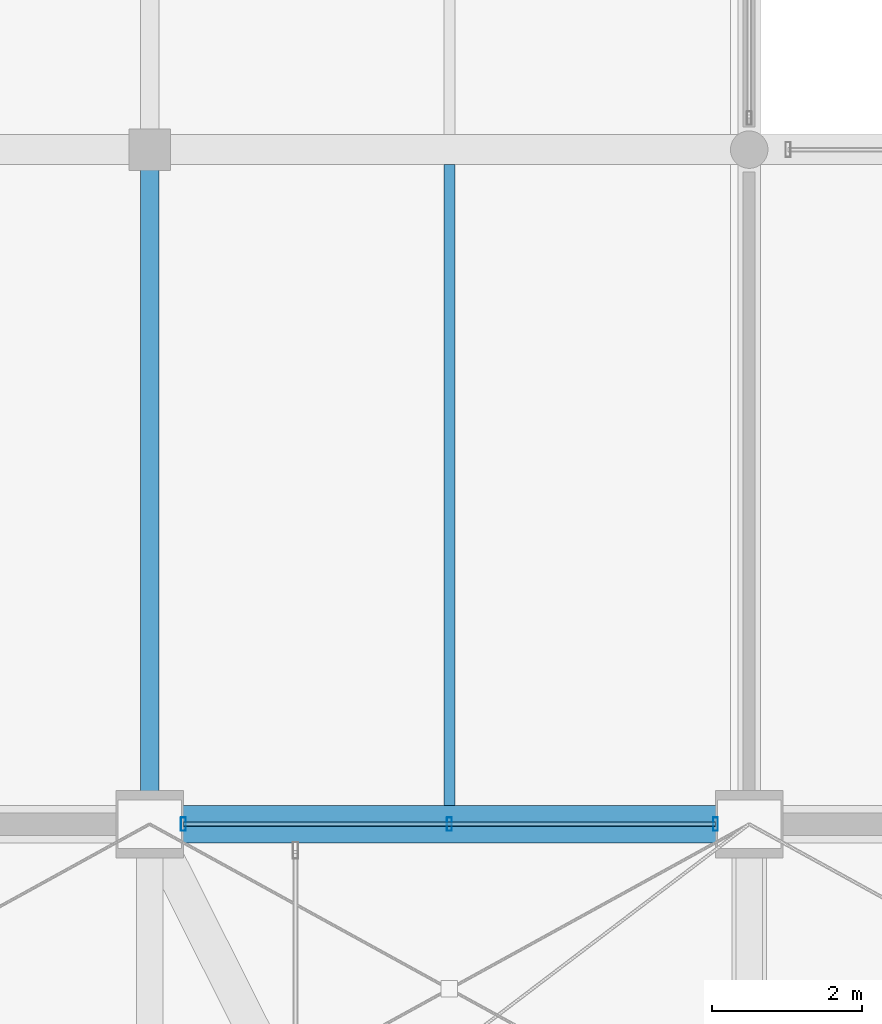
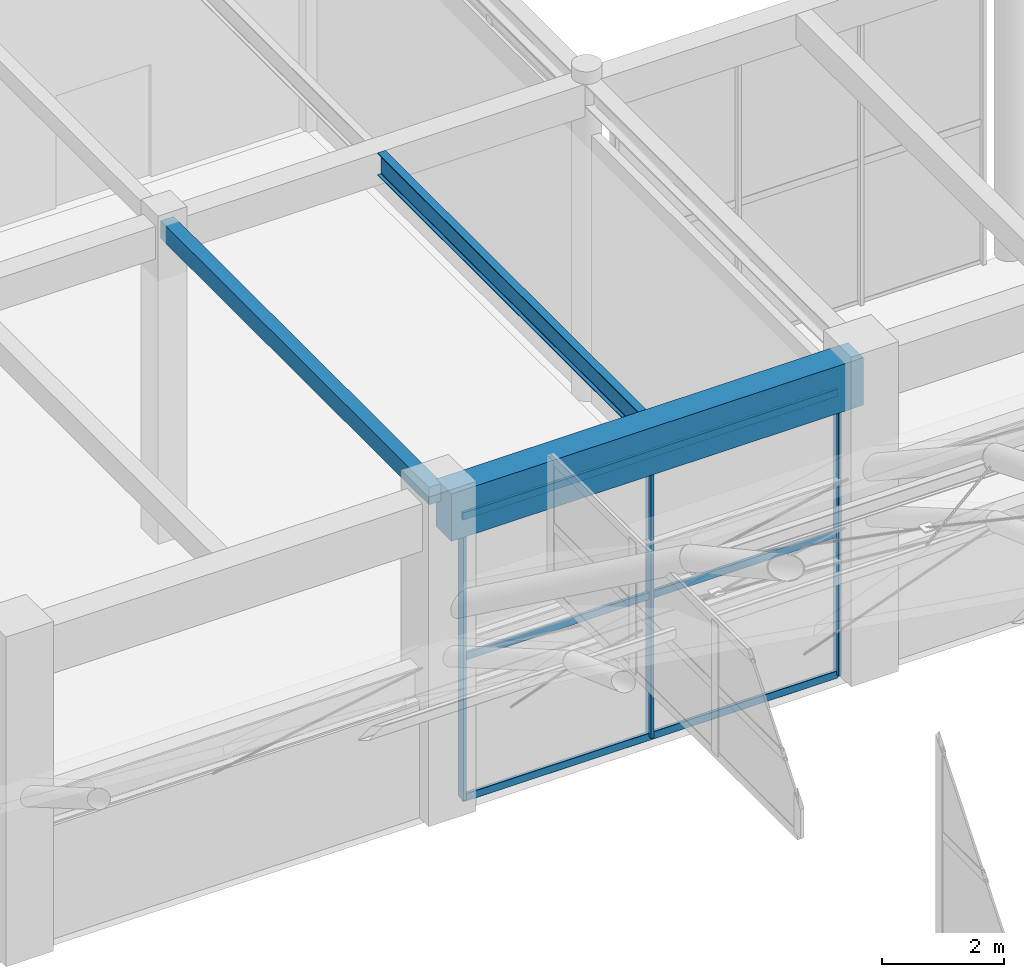
# One storey, part 62 of 163: 6 members, 3 beams, 1 element without a shape of its own.
"""IFC4 building model written with IfcOpenShell, lengths in metres."""

from ifc_helpers import new_model, si_unit, direction, frame, origin, origin_2d, place, context, subcontext, project, spatial, rectangle, hollow_rectangle, i_section, extrude, material, material_profile, profile_set, type_object, element, aggregate, save


model = new_model("IFC4")

# Units and contexts
model_context = context("Model", 3, precision=1e-05, world=origin(), true_north=direction((0.0, 1.0)))
body_context = subcontext(model_context, "Body", "Model", "MODEL_VIEW")
ifc_project = project(units=[si_unit("LENGTHUNIT", "METRE"), si_unit("AREAUNIT", "SQUARE_METRE"), si_unit("VOLUMEUNIT", "CUBIC_METRE"), si_unit("PLANEANGLEUNIT", "RADIAN"), si_unit("MASSUNIT", "GRAM", prefix="KILO")], contexts=[model_context])

# Site, building, storey
site_placement = place(None, origin())
site = spatial("IfcSite", under=ifc_project, at=site_placement, CompositionType="ELEMENT")
building_placement = place(site_placement, origin())
building = spatial("IfcBuilding", under=site, at=building_placement, Name="Varnabhumi Central Station", CompositionType="ELEMENT")
storey_placement = place(building_placement, frame((0.0, 0.0, 9.60009765625)))
storey = spatial("IfcBuildingStorey", under=building, at=storey_placement, Name="L02", CompositionType="ELEMENT", Elevation=9.60009765625)

# Beams
ifc_material_1 = material(Name="Structural steel E350", Category="steel")
ifc_material_profile_1 = material_profile(ifc_material_1, i_section(OverallWidth=0.14990234375, OverallDepth=0.449951171875, WebThickness=0.009521484375, FlangeThickness=0.017333984375, FilletRadius=0.014892578125, at=origin_2d()), Name="Structural steel E350", Category="steel")
ifc_profile_set_1 = profile_set([ifc_material_profile_1], Name="Structural steel E350")
beam_type_1 = type_object("IfcBeamType", Name="BM-JST-ISMB450", PredefinedType="JOIST", material=ifc_profile_set_1)
beam_1_placement = place(storey_placement, frame((44.0, 80.25, 6.125), z_axis=(0.0, 1.0, 0.0), x_axis=(-1.0, 0.0, 0.0)))
element("IfcBeam", 1, at=beam_1_placement, inside=storey, type_object=beam_type_1, Name="Secondary Joist L02-6/7:K-L", PredefinedType="JOIST", context=body_context, shape_type="SweptSolid", body=[
    extrude(i_section(OverallWidth=0.14990234375, OverallDepth=0.449951171875, WebThickness=0.009521484375, FlangeThickness=0.017333984375, FilletRadius=0.014892578125, at=origin_2d()), origin(), (0.0, 0.0, 1.0), 8.550048828125),
])
ifc_material_2 = material(Name="Concrete M35", Category="concrete")
ifc_material_profile_2 = material_profile(ifc_material_2, rectangle(XDim=0.25, YDim=0.35009765625, at=origin_2d()), Name="Concrete M35", Category="concrete")
ifc_profile_set_2 = profile_set([ifc_material_profile_2], Name="Concrete M35")
beam_type_2 = type_object("IfcBeamType", Name="BM-RC-250x350", PredefinedType="LINTEL", material=ifc_profile_set_2)
beam_2_placement = place(storey_placement, frame((40.0, 80.10009765625, 6.1748046875), z_axis=(0.0, 1.0, 0.0), x_axis=(-1.0, 0.0, 0.0)))
element("IfcBeam", 2, at=beam_2_placement, inside=storey, type_object=beam_type_2, Name="Beam L02-6:K-L", PredefinedType="LINTEL", context=body_context, shape_type="SweptSolid", body=[
    extrude(rectangle(XDim=0.25, YDim=0.35009765625, at=origin_2d()), origin(), (0.0, 0.0, 1.0), 8.7998046875),
])
ifc_material_3 = material(Name="Concrete M40", Category="concrete")
ifc_material_profile_3 = material_profile(ifc_material_3, rectangle(XDim=0.5, YDim=0.949951171875, at=origin_2d()), Name="Concrete M40", Category="concrete")
ifc_profile_set_3 = profile_set([ifc_material_profile_3], Name="Concrete M40")
beam_type_3 = type_object("IfcBeamType", Name="BM-RC-950x500", PredefinedType="BEAM", material=ifc_profile_set_3)
beam_3_placement = place(storey_placement, frame((40.10009765625, 80.0, 5.875), z_axis=(1.0, 0.0, 0.0), x_axis=(0.0, 1.0, 0.0)))
element("IfcBeam", 3, at=beam_3_placement, inside=storey, type_object=beam_type_3, Name="Beam L02-K:6-7", PredefinedType="BEAM", context=body_context, shape_type="SweptSolid", body=[
    extrude(rectangle(XDim=0.5, YDim=0.949951171875, at=origin_2d()), origin(), (0.0, 0.0, 1.0), 7.7998046875),
])

# Curtain wall, members
ifc_material_4 = material(Name="Anodised aluminium 6063-T6", Category="aluminium")
curtain_wall_type = type_object("IfcCurtainWallType", Name="CW-SPINE-SCREEN-L2", PredefinedType="NOTDEFINED", material=ifc_material_4)
curtain_wall_placement = place(storey_placement, origin())
curtain_wall = element("IfcCurtainWall", 4, at=curtain_wall_placement, inside=storey, type_object=curtain_wall_type, Name="Curtain Wall CW-NS202", PredefinedType="NOTDEFINED")
ifc_material_profile_4 = material_profile(ifc_material_4, hollow_rectangle(XDim=0.06494140625, YDim=0.179931640625, WallThickness=0.00390625, InnerFilletRadius=0.001953125, OuterFilletRadius=0.006103515625, at=origin_2d()), Name="Anodised aluminium 6063-T6", Category="aluminium")
ifc_profile_set_4 = profile_set([ifc_material_profile_4], Name="Anodised aluminium 6063-T6")
member_type_1 = type_object("IfcMemberType", Name="CW-MUL-180", PredefinedType="MULLION", material=ifc_profile_set_4)
member_1_placement = place(storey_placement, frame((40.449951171875, 80.0, 0.0), z_axis=(0.0, 0.0, 1.0), x_axis=(1.0, 0.0, 0.0)))
member_1 = element("IfcMember", 5, at=member_1_placement, type_object=member_type_1, Name="Curtain Wall Mullion CW-NS202-M1", PredefinedType="MULLION", context=body_context, shape_type="SweptSolid", body=[
    extrude(hollow_rectangle(XDim=0.06494140625, YDim=0.179931640625, WallThickness=0.00390625, InnerFilletRadius=0.001953125, OuterFilletRadius=0.006103515625, at=origin_2d()), origin(), (0.0, 0.0, 1.0), 5.639892578125),
])
member_2_placement = place(storey_placement, frame((44.0, 80.0, 0.0), z_axis=(0.0, 0.0, 1.0), x_axis=(1.0, 0.0, 0.0)))
member_2 = element("IfcMember", 6, at=member_2_placement, type_object=member_type_1, Name="Curtain Wall Mullion CW-NS202-M2", PredefinedType="MULLION", context=body_context, shape_type="SweptSolid", body=[
    extrude(hollow_rectangle(XDim=0.06494140625, YDim=0.179931640625, WallThickness=0.00390625, InnerFilletRadius=0.001953125, OuterFilletRadius=0.006103515625, at=origin_2d()), origin(), (0.0, 0.0, 1.0), 5.639892578125),
])
member_3_placement = place(storey_placement, frame((47.550048828125, 80.0, 0.0), z_axis=(0.0, 0.0, 1.0), x_axis=(1.0, 0.0, 0.0)))
member_3 = element("IfcMember", 7, at=member_3_placement, type_object=member_type_1, Name="Curtain Wall Mullion CW-NS202-M3", PredefinedType="MULLION", context=body_context, shape_type="SweptSolid", body=[
    extrude(hollow_rectangle(XDim=0.06494140625, YDim=0.179931640625, WallThickness=0.00390625, InnerFilletRadius=0.001953125, OuterFilletRadius=0.006103515625, at=origin_2d()), origin(), (0.0, 0.0, 1.0), 5.639892578125),
])
ifc_material_profile_5 = material_profile(ifc_material_4, hollow_rectangle(XDim=0.06005859375, YDim=0.14990234375, WallThickness=0.00390625, InnerFilletRadius=0.001953125, OuterFilletRadius=0.006103515625, at=origin_2d()), Name="Anodised aluminium 6063-T6", Category="aluminium")
ifc_profile_set_5 = profile_set([ifc_material_profile_5], Name="Anodised aluminium 6063-T6")
member_type_2 = type_object("IfcMemberType", Name="CW-TR-150", PredefinedType="USERDEFINED", material=ifc_profile_set_5)
member_4_placement = place(storey_placement, frame((40.449951171875, 80.0, 0.0), z_axis=(1.0, 0.0, 0.0), x_axis=(0.0, 1.0, 0.0)))
member_4 = element("IfcMember", 8, at=member_4_placement, type_object=member_type_2, Name="Curtain Wall Transom CW-NS202-T1", ObjectType="TRANSOM", PredefinedType="USERDEFINED", context=body_context, shape_type="SweptSolid", body=[
    extrude(hollow_rectangle(XDim=0.06005859375, YDim=0.14990234375, WallThickness=0.00390625, InnerFilletRadius=0.001953125, OuterFilletRadius=0.006103515625, at=origin_2d()), origin(), (0.0, 0.0, 1.0), 7.10009765625),
])
member_5_placement = place(storey_placement, frame((40.449951171875, 80.0, 2.81982421875), z_axis=(1.0, 0.0, 0.0), x_axis=(0.0, 1.0, 0.0)))
member_5 = element("IfcMember", 9, at=member_5_placement, type_object=member_type_2, Name="Curtain Wall Transom CW-NS202-T2", ObjectType="TRANSOM", PredefinedType="USERDEFINED", context=body_context, shape_type="SweptSolid", body=[
    extrude(hollow_rectangle(XDim=0.06005859375, YDim=0.14990234375, WallThickness=0.00390625, InnerFilletRadius=0.001953125, OuterFilletRadius=0.006103515625, at=origin_2d()), origin(), (0.0, 0.0, 1.0), 7.10009765625),
])
member_6_placement = place(storey_placement, frame((40.449951171875, 80.0, 5.639892578125), z_axis=(1.0, 0.0, 0.0), x_axis=(0.0, 1.0, 0.0)))
member_6 = element("IfcMember", 10, at=member_6_placement, type_object=member_type_2, Name="Curtain Wall Transom CW-NS202-T3", ObjectType="TRANSOM", PredefinedType="USERDEFINED", context=body_context, shape_type="SweptSolid", body=[
    extrude(hollow_rectangle(XDim=0.06005859375, YDim=0.14990234375, WallThickness=0.00390625, InnerFilletRadius=0.001953125, OuterFilletRadius=0.006103515625, at=origin_2d()), origin(), (0.0, 0.0, 1.0), 7.10009765625),
])
aggregate(curtain_wall, [member_1, member_2, member_3, member_4, member_5, member_6])

save(model, "model.ifc")
